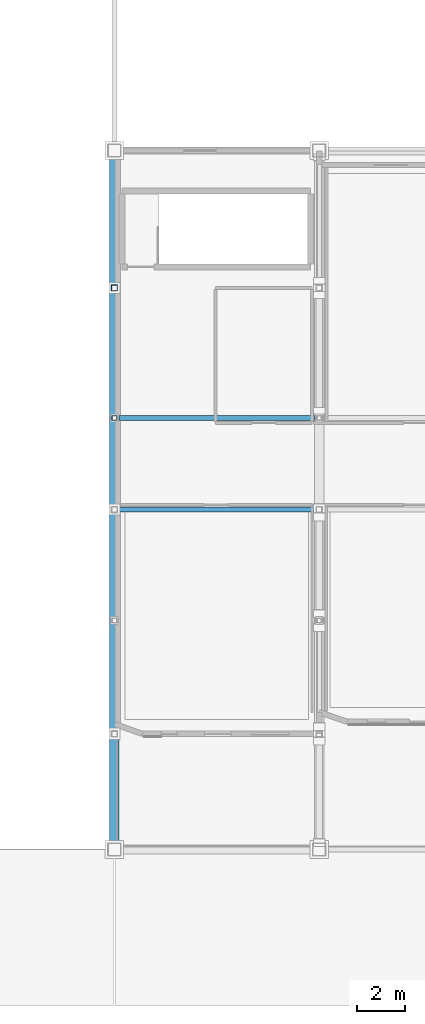
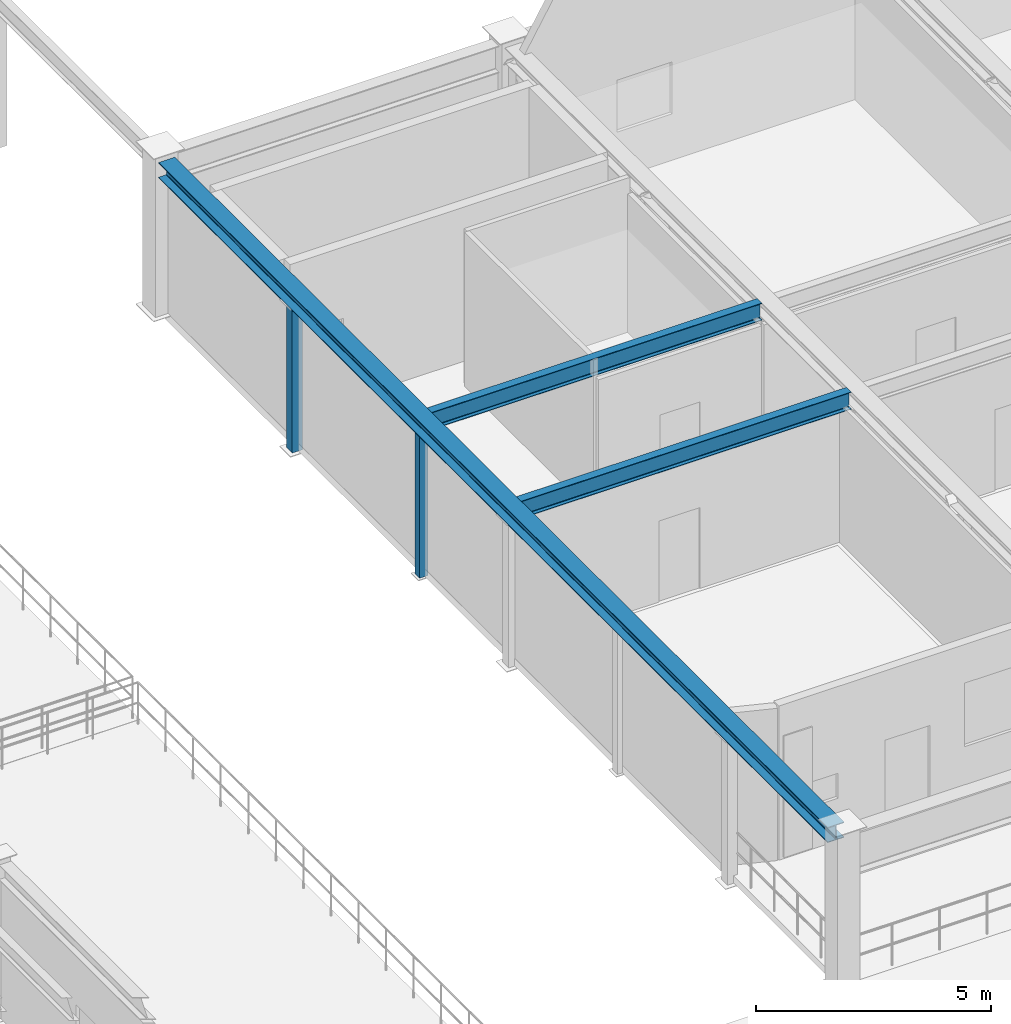
# One storey, part 17 of 78: 3 beams, 2 members.
"""IFC4 building model written with IfcOpenShell, lengths in metres."""

from ifc_helpers import new_model, si_unit, direction, frame, origin, origin_2d, place, context, subcontext, project, spatial, hollow_rectangle, i_section, extrude, material, material_profile, profile_set, type_object, element, save


model = new_model("IFC4")

# Units and contexts
model_context = context("Model", 3, precision=1e-05, world=origin(), true_north=direction((0.0, 1.0)))
body_context = subcontext(model_context, "Body", "Model", "MODEL_VIEW")
ifc_project = project(units=[si_unit("LENGTHUNIT", "METRE"), si_unit("AREAUNIT", "SQUARE_METRE"), si_unit("VOLUMEUNIT", "CUBIC_METRE"), si_unit("PLANEANGLEUNIT", "RADIAN"), si_unit("MASSUNIT", "GRAM", prefix="KILO"), si_unit("THERMODYNAMICTEMPERATUREUNIT", "KELVIN"), si_unit("POWERUNIT", "WATT")], contexts=[model_context])

# Site, building, storey
site_placement = place(None, origin())
site = spatial("IfcSite", under=ifc_project, at=site_placement, CompositionType="ELEMENT")
building_placement = place(site_placement, origin())
building = spatial("IfcBuilding", under=site, at=building_placement, Name="Zhenchuan Central Fire Station", CompositionType="ELEMENT")
storey_placement = place(building_placement, frame((0.0, 0.0, 5.85009765625)))
storey = spatial("IfcBuildingStorey", under=building, at=storey_placement, Name="L02", CompositionType="ELEMENT", Elevation=5.85009765625)

# Beams
ifc_material = material(Name="Steel Q355B", Category="steel")
ifc_material_profile_1 = material_profile(ifc_material, i_section(OverallWidth=0.199951171875, OverallDepth=0.449951171875, WebThickness=0.009033203125, FlangeThickness=0.013916015625, FilletRadius=0.01806640625, at=origin_2d()), Name="HN 450x200")
ifc_profile_set_1 = profile_set([ifc_material_profile_1], Name="Steel Q355B")
beam_type_1 = type_object("IfcBeamType", Name="BM-HN450", PredefinedType="BEAM", material=ifc_profile_set_1)
for number, where, z_axis, x_axis, name in (
    (1, (56.197021484375, 20.60009765625, 3.77490234375), (1.0, 0.0, 0.0), (0.0, 1.0, 0.0), "Pavilion Corridor Tie Girder 0540"),
    (2, (56.197021484375, 24.39990234375, 3.77490234375), (1.0, 0.0, 0.0), (0.0, 1.0, 0.0), "Pavilion Corridor Tie Girder 0541"),
):
    element("IfcBeam", number, at=place(storey_placement, frame(where, z_axis=z_axis, x_axis=x_axis)), inside=storey, type_object=beam_type_1, Name=name, PredefinedType="BEAM", context=body_context, shape_type="SweptSolid", body=[
        extrude(i_section(OverallWidth=0.199951171875, OverallDepth=0.449951171875, WebThickness=0.009033203125, FlangeThickness=0.013916015625, FilletRadius=0.01806640625, at=origin_2d()), origin(), (0.0, 0.0, 1.0), 8.10595703125),
    ])
ifc_material_profile_2 = material_profile(ifc_material, i_section(OverallWidth=0.39990234375, OverallDepth=0.39990234375, WebThickness=0.012939453125, FlangeThickness=0.02099609375, FilletRadius=0.02197265625, at=origin_2d()), Name="HW 400x400")
ifc_profile_set_2 = profile_set([ifc_material_profile_2], Name="Steel Q355B")
beam_type_2 = type_object("IfcBeamType", Name="BM-HW400", PredefinedType="BEAM", material=ifc_profile_set_2)
beam_placement = place(storey_placement, frame((56.0, 6.77490234375, 3.7998046875), z_axis=(0.0, 1.0, 0.0), x_axis=(-1.0, 0.0, 0.0)))
element("IfcBeam", 3, at=beam_placement, inside=storey, type_object=beam_type_2, Name="Pratt Transfer Truss TT-01 Top Chord", PredefinedType="BEAM", context=body_context, shape_type="SweptSolid", body=[
    extrude(i_section(OverallWidth=0.39990234375, OverallDepth=0.39990234375, WebThickness=0.012939453125, FlangeThickness=0.02099609375, FilletRadius=0.02197265625, at=origin_2d()), origin(), (0.0, 0.0, 1.0), 28.4501953125),
])

# Members
ifc_material_profile_3 = material_profile(ifc_material, hollow_rectangle(XDim=0.199951171875, YDim=0.199951171875, WallThickness=0.010009765625, at=origin_2d()), Name="SHS 200x200x10")
ifc_profile_set_3 = profile_set([ifc_material_profile_3], Name="Steel Q355B")
member_type_1 = type_object("IfcMemberType", Name="MB-CH-SHS200", PredefinedType="CHORD", material=ifc_profile_set_3)
member_1_placement = place(storey_placement, frame((56.0, 24.39990234375, -0.2001953125), z_axis=(0.0, 0.0, 1.0), x_axis=(1.0, 0.0, 0.0)))
element("IfcMember", 4, at=member_1_placement, inside=storey, type_object=member_type_1, Name="Transfer Truss TT-01 Web Post 4", PredefinedType="CHORD", context=body_context, shape_type="SweptSolid", body=[
    extrude(hollow_rectangle(XDim=0.199951171875, YDim=0.199951171875, WallThickness=0.010009765625, at=origin_2d()), origin(), (0.0, 0.0, 1.0), 3.800048828125),
])
ifc_material_profile_4 = material_profile(ifc_material, hollow_rectangle(XDim=0.25, YDim=0.25, WallThickness=0.011962890625, at=origin_2d()), Name="SHS 250x250x12")
ifc_profile_set_4 = profile_set([ifc_material_profile_4], Name="Steel Q355B")
member_type_2 = type_object("IfcMemberType", Name="MB-CH-SHS250", PredefinedType="CHORD", material=ifc_profile_set_4)
member_2_placement = place(storey_placement, frame((56.0, 29.800048828125, -0.2001953125), z_axis=(0.0, 0.0, 1.0), x_axis=(1.0, 0.0, 0.0)))
element("IfcMember", 5, at=member_2_placement, inside=storey, type_object=member_type_2, Name="Transfer Truss TT-01 Web Post 5", PredefinedType="CHORD", context=body_context, shape_type="SweptSolid", body=[
    extrude(hollow_rectangle(XDim=0.25, YDim=0.25, WallThickness=0.011962890625, at=origin_2d()), origin(), (0.0, 0.0, 1.0), 3.800048828125),
])

save(model, "model.ifc")
